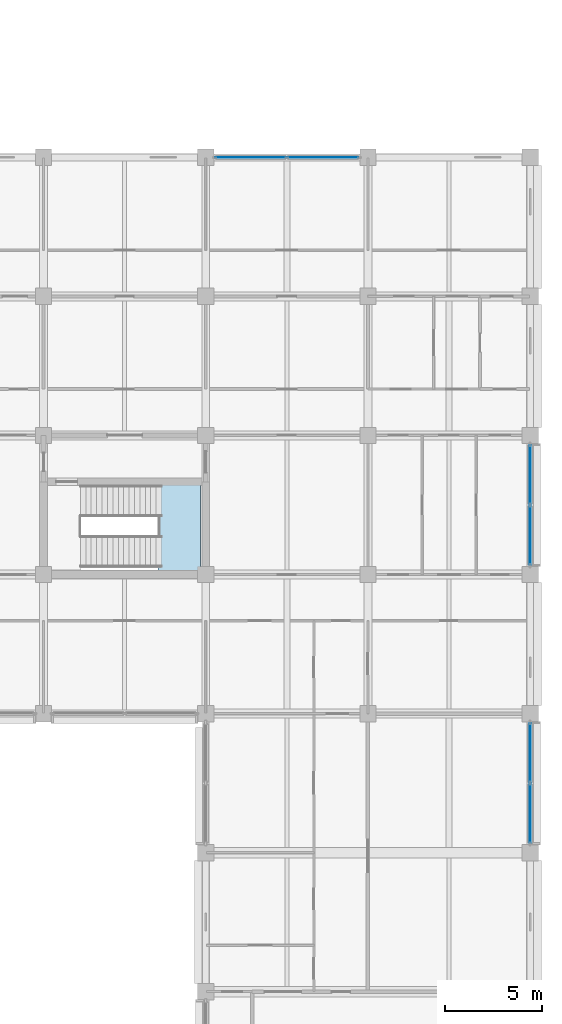
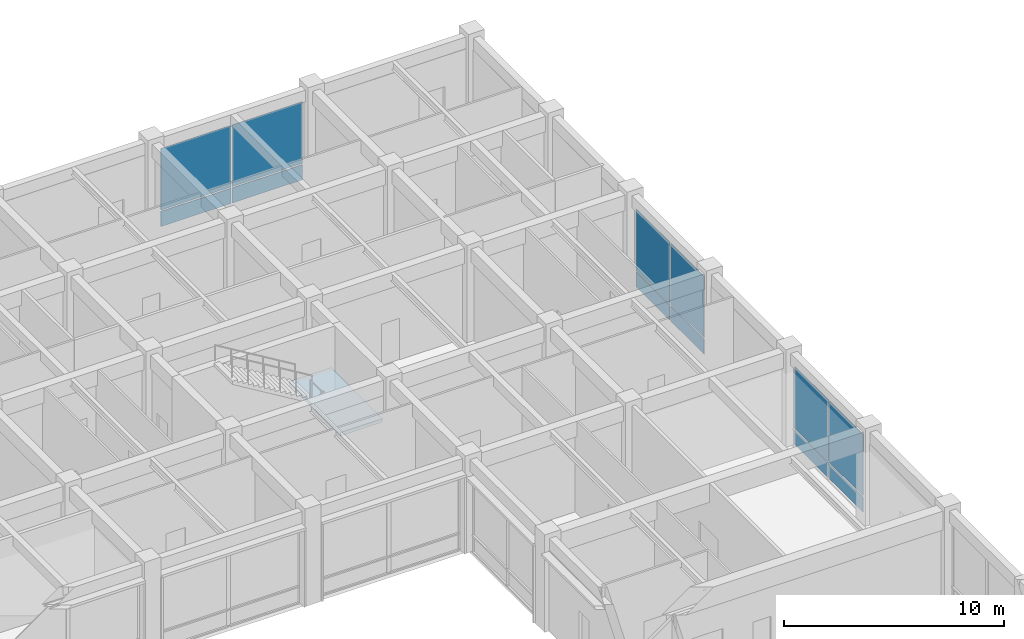
# One storey, part 20 of 51: 12 plates, 1 slab, 4 elements without a shape of their own.
"""IFC4 building model written with IfcOpenShell, lengths in metres."""

from ifc_helpers import new_model, si_unit, direction, frame, origin, origin_2d, place, context, subcontext, project, spatial, polyline, rectangle, outline, extrude, material, layer, layer_set, type_object, element, aggregate, save


model = new_model("IFC4")

# Units and contexts
model_context = context("Model", 3, precision=1e-05, world=origin(), true_north=direction((0.0, 1.0)))
body_context = subcontext(model_context, "Body", "Model", "MODEL_VIEW")
ifc_project = project(units=[si_unit("LENGTHUNIT", "METRE"), si_unit("AREAUNIT", "SQUARE_METRE"), si_unit("VOLUMEUNIT", "CUBIC_METRE"), si_unit("PLANEANGLEUNIT", "RADIAN"), si_unit("MASSUNIT", "GRAM", prefix="KILO")], contexts=[model_context])

# Site, building, storey
site_placement = place(None, origin())
site = spatial("IfcSite", under=ifc_project, at=site_placement, CompositionType="ELEMENT")
building_placement = place(site_placement, origin())
building = spatial("IfcBuilding", under=site, at=building_placement, Name="Chengyuan Square Courthouse", CompositionType="ELEMENT")
storey_placement = place(building_placement, frame((0.0, 0.0, 10.800048828125)))
storey = spatial("IfcBuildingStorey", under=building, at=storey_placement, Name="L03", CompositionType="ELEMENT", Elevation=10.800048828125)

# Curtain wall, plates
ifc_material_1 = material(Name="Unitised Aluminium and Triple Low-E Glass", Category="aluminium")
ifc_layer_1 = layer(ifc_material_1, 0.199951171875)
ifc_layer_set_1 = layer_set([ifc_layer_1], Name="Unitised Aluminium and Triple Low-E Glass")
curtain_wall_type_1 = type_object("IfcCurtainWallType", Name="CW-07", PredefinedType="USERDEFINED", material=ifc_layer_set_1)
curtain_wall_1_placement = place(storey_placement, origin())
curtain_wall_1 = element("IfcCurtainWall", 1, at=curtain_wall_1_placement, inside=storey, type_object=curtain_wall_type_1, Name="Unitised Curtain Wall CW-L03-122", ObjectType="UNITISED CURTAIN WALL", PredefinedType="USERDEFINED")
ifc_material_2 = material(Name="Triple Low-E Insulating Glass", Category="glass")
ifc_layer_2 = layer(ifc_material_2, 0.02392578125)
ifc_layer_set_2 = layer_set([ifc_layer_2], Name="Triple Low-E Insulating Glass")
plate_type_1 = type_object("IfcPlateType", Name="CWP-01", PredefinedType="CURTAIN_PANEL", material=ifc_layer_set_2)
plate_1_placement = place(storey_placement, frame((153.530029296875, 108.0, 0.06982421875), z_axis=(0.0, 0.0, 1.0), x_axis=(1.0, 0.0, 0.0)))
plate_1 = element("IfcPlate", 2, at=plate_1_placement, type_object=plate_type_1, Name="CW-07 panel 1.1", PredefinedType="CURTAIN_PANEL", context=body_context, shape_type="SweptSolid", body=[
    extrude(rectangle(XDim=3.669921875, YDim=0.02392578125, at=origin_2d()), origin(), (0.0, 0.0, 1.0), 0.844970703125),
])
plate_2_placement = place(storey_placement, frame((153.530029296875, 108.0, 0.98486328125), z_axis=(0.0, 0.0, 1.0), x_axis=(1.0, 0.0, 0.0)))
plate_2 = element("IfcPlate", 3, at=plate_2_placement, type_object=plate_type_1, Name="CW-07 panel 1.2", PredefinedType="CURTAIN_PANEL", context=body_context, shape_type="SweptSolid", body=[
    extrude(rectangle(XDim=3.669921875, YDim=0.02392578125, at=origin_2d()), origin(), (0.0, 0.0, 1.0), 3.4150390625),
])
plate_3_placement = place(storey_placement, frame((157.27001953125, 108.0, 0.06982421875), z_axis=(0.0, 0.0, 1.0), x_axis=(1.0, 0.0, 0.0)))
plate_3 = element("IfcPlate", 4, at=plate_3_placement, type_object=plate_type_1, Name="CW-07 panel 2.1", PredefinedType="CURTAIN_PANEL", context=body_context, shape_type="SweptSolid", body=[
    extrude(rectangle(XDim=3.669921875, YDim=0.02392578125, at=origin_2d()), origin(), (0.0, 0.0, 1.0), 0.844970703125),
])
plate_4_placement = place(storey_placement, frame((157.27001953125, 108.0, 0.98486328125), z_axis=(0.0, 0.0, 1.0), x_axis=(1.0, 0.0, 0.0)))
plate_4 = element("IfcPlate", 5, at=plate_4_placement, type_object=plate_type_1, Name="CW-07 panel 2.2", PredefinedType="CURTAIN_PANEL", context=body_context, shape_type="SweptSolid", body=[
    extrude(rectangle(XDim=3.669921875, YDim=0.02392578125, at=origin_2d()), origin(), (0.0, 0.0, 1.0), 3.4150390625),
])
aggregate(curtain_wall_1, [plate_1, plate_2, plate_3, plate_4])

ifc_layer_3 = layer(ifc_material_1, 0.219970703125)
ifc_layer_set_3 = layer_set([ifc_layer_3], Name="Unitised Aluminium and Triple Low-E Glass")
curtain_wall_type_2 = type_object("IfcCurtainWallType", Name="CW-20", PredefinedType="USERDEFINED", material=ifc_layer_set_3)
curtain_wall_2_placement = place(storey_placement, origin())
curtain_wall_2 = element("IfcCurtainWall", 6, at=curtain_wall_2_placement, inside=storey, type_object=curtain_wall_type_2, Name="Unitised Curtain Wall CW-L03-125", ObjectType="UNITISED CURTAIN WALL", PredefinedType="USERDEFINED")
ifc_layer_4 = layer(ifc_material_2, 0.031982421875)
ifc_layer_set_4 = layer_set([ifc_layer_4], Name="Triple Low-E Insulating Glass")
plate_type_2 = type_object("IfcPlateType", Name="CWP-02", PredefinedType="CURTAIN_PANEL", material=ifc_layer_set_4)
plate_5_placement = place(storey_placement, frame((168.0, 74.032470703125, 0.079833984375), z_axis=(0.0, 0.0, 1.0), x_axis=(0.0, 1.0, 0.0)))
plate_5 = element("IfcPlate", 7, at=plate_5_placement, type_object=plate_type_2, Name="CW-20 panel 1.1", PredefinedType="CURTAIN_PANEL", context=body_context, shape_type="SweptSolid", body=[
    extrude(rectangle(XDim=3.054931640625, YDim=0.031982421875, at=origin_2d()), origin(), (0.0, 0.0, 1.0), 0.830078125),
])
plate_6_placement = place(storey_placement, frame((168.0, 74.032470703125, 0.989990234375), z_axis=(0.0, 0.0, 1.0), x_axis=(0.0, 1.0, 0.0)))
plate_6 = element("IfcPlate", 8, at=plate_6_placement, type_object=plate_type_2, Name="CW-20 panel 1.2", PredefinedType="CURTAIN_PANEL", context=body_context, shape_type="SweptSolid", body=[
    extrude(rectangle(XDim=3.054931640625, YDim=0.031982421875, at=origin_2d()), origin(), (0.0, 0.0, 1.0), 3.39990234375),
])
plate_7_placement = place(storey_placement, frame((168.0, 77.16748046875, 0.079833984375), z_axis=(0.0, 0.0, 1.0), x_axis=(0.0, 1.0, 0.0)))
plate_7 = element("IfcPlate", 9, at=plate_7_placement, type_object=plate_type_2, Name="CW-20 panel 2.1", PredefinedType="CURTAIN_PANEL", context=body_context, shape_type="SweptSolid", body=[
    extrude(rectangle(XDim=3.054931640625, YDim=0.031982421875, at=origin_2d()), origin(), (0.0, 0.0, 1.0), 0.830078125),
])
plate_8_placement = place(storey_placement, frame((168.0, 77.16748046875, 0.989990234375), z_axis=(0.0, 0.0, 1.0), x_axis=(0.0, 1.0, 0.0)))
plate_8 = element("IfcPlate", 10, at=plate_8_placement, type_object=plate_type_2, Name="CW-20 panel 2.2", PredefinedType="CURTAIN_PANEL", context=body_context, shape_type="SweptSolid", body=[
    extrude(rectangle(XDim=3.054931640625, YDim=0.031982421875, at=origin_2d()), origin(), (0.0, 0.0, 1.0), 3.39990234375),
])
aggregate(curtain_wall_2, [plate_5, plate_6, plate_7, plate_8])

curtain_wall_3_placement = place(storey_placement, origin())
curtain_wall_3 = element("IfcCurtainWall", 11, at=curtain_wall_3_placement, inside=storey, type_object=curtain_wall_type_2, Name="Unitised Curtain Wall CW-L03-126", ObjectType="UNITISED CURTAIN WALL", PredefinedType="USERDEFINED")
plate_9_placement = place(storey_placement, frame((168.0, 88.4326171875, 0.079833984375), z_axis=(0.0, 0.0, 1.0), x_axis=(0.0, 1.0, 0.0)))
plate_9 = element("IfcPlate", 12, at=plate_9_placement, type_object=plate_type_2, Name="CW-20 panel 1.1", PredefinedType="CURTAIN_PANEL", context=body_context, shape_type="SweptSolid", body=[
    extrude(rectangle(XDim=3.054931640625, YDim=0.031982421875, at=origin_2d()), origin(), (0.0, 0.0, 1.0), 0.830078125),
])
plate_10_placement = place(storey_placement, frame((168.0, 88.4326171875, 0.989990234375), z_axis=(0.0, 0.0, 1.0), x_axis=(0.0, 1.0, 0.0)))
plate_10 = element("IfcPlate", 13, at=plate_10_placement, type_object=plate_type_2, Name="CW-20 panel 1.2", PredefinedType="CURTAIN_PANEL", context=body_context, shape_type="SweptSolid", body=[
    extrude(rectangle(XDim=3.054931640625, YDim=0.031982421875, at=origin_2d()), origin(), (0.0, 0.0, 1.0), 3.39990234375),
])
plate_11_placement = place(storey_placement, frame((168.0, 91.5673828125, 0.079833984375), z_axis=(0.0, 0.0, 1.0), x_axis=(0.0, 1.0, 0.0)))
plate_11 = element("IfcPlate", 14, at=plate_11_placement, type_object=plate_type_2, Name="CW-20 panel 2.1", PredefinedType="CURTAIN_PANEL", context=body_context, shape_type="SweptSolid", body=[
    extrude(rectangle(XDim=3.054931640625, YDim=0.031982421875, at=origin_2d()), origin(), (0.0, 0.0, 1.0), 0.830078125),
])
plate_12_placement = place(storey_placement, frame((168.0, 91.5673828125, 0.989990234375), z_axis=(0.0, 0.0, 1.0), x_axis=(0.0, 1.0, 0.0)))
plate_12 = element("IfcPlate", 15, at=plate_12_placement, type_object=plate_type_2, Name="CW-20 panel 2.2", PredefinedType="CURTAIN_PANEL", context=body_context, shape_type="SweptSolid", body=[
    extrude(rectangle(XDim=3.054931640625, YDim=0.031982421875, at=origin_2d()), origin(), (0.0, 0.0, 1.0), 3.39990234375),
])
aggregate(curtain_wall_3, [plate_9, plate_10, plate_11, plate_12])

# Stair, slab
ifc_material_3 = material(Name="Concrete C40", Category="concrete")
stair_type = type_object("IfcStairType", Name="ST-TYPE-10", PredefinedType="HALF_TURN_STAIR", material=ifc_material_3)
stair_placement = place(storey_placement, origin())
stair = element("IfcStair", 16, at=stair_placement, inside=storey, type_object=stair_type, Name="Smoke-Proof Exit Stair ST-10 (L03 to L04)", PredefinedType="HALF_TURN_STAIR")
ifc_layer_5 = layer(ifc_material_3, 0.18994140625)
ifc_layer_set_5 = layer_set([ifc_layer_5], Name="Concrete C40")
slab_type = type_object("IfcSlabType", Name="SL-LND1", PredefinedType="LANDING", material=ifc_layer_set_5)
slab_placement = place(storey_placement, frame((0.0, 0.0, 2.510009765625)))
slab = element("IfcSlab", 17, at=slab_placement, type_object=slab_type, Name="ST-10 landing 1", PredefinedType="LANDING", context=body_context, shape_type="SweptSolid", body=[
    extrude(outline(polyline([(148.72998046875, 86.56005859375), (150.93994140625, 86.56005859375), (150.93994140625, 91.239990234375), (148.72998046875, 91.239990234375), (148.72998046875, 86.56005859375)])), origin(), (0.0, 0.0, 1.0), 0.18994140625),
])
aggregate(stair, [slab])

save(model, "model.ifc")
